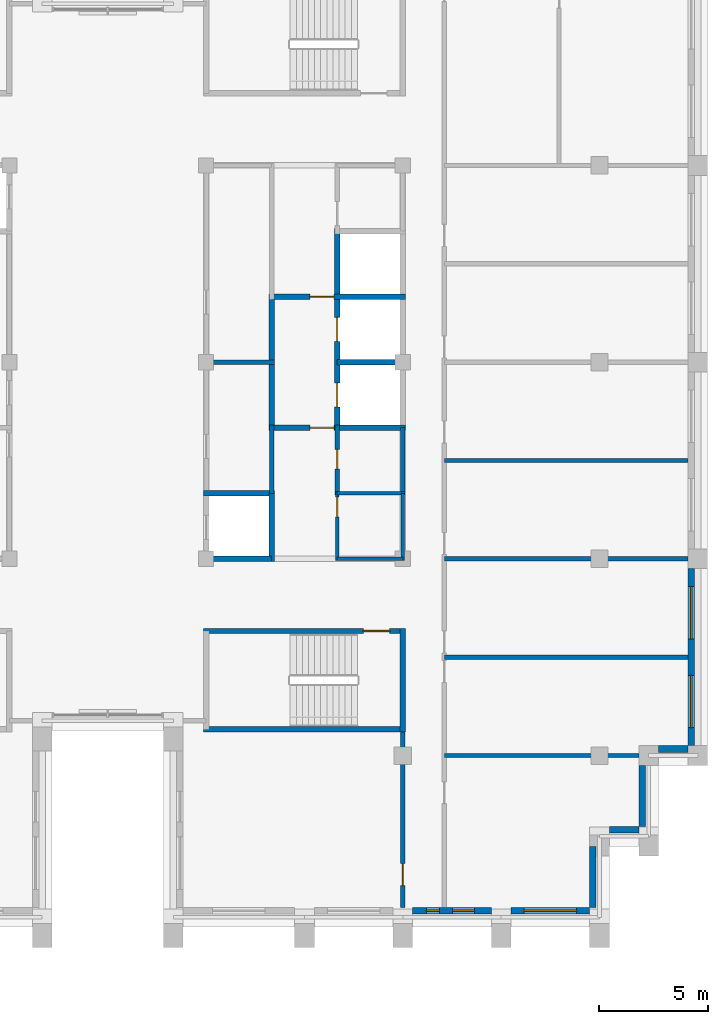
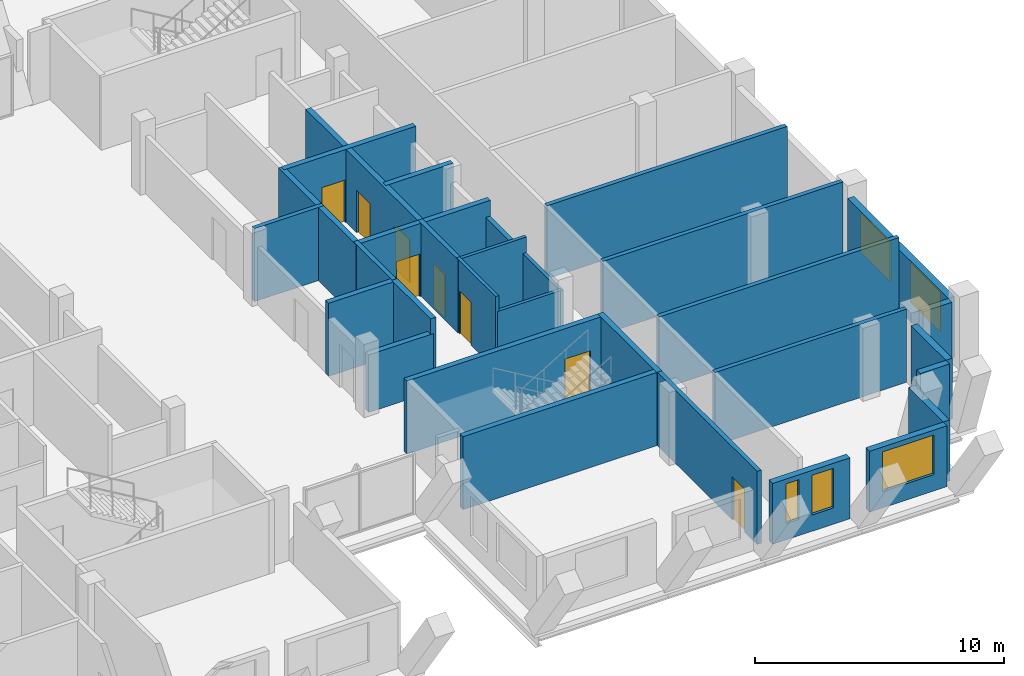
# One storey, part 8 of 13: 31 walls, 8 doors, 5 windows, 13 openings.
"""IFC4 building model written with IfcOpenShell, lengths in metres."""

from ifc_helpers import new_model, si_unit, direction, frame, frame_2d, origin, place, context, subcontext, project, spatial, rectangle, extrude, material, layer, layer_set, type_object, element, fill, save


model = new_model("IFC4")

# Units and contexts
model_context = context("Model", 3, precision=1e-05, world=origin(), true_north=direction((0.0, 1.0)))
body_context = subcontext(model_context, "Body", "Model", "MODEL_VIEW")
ifc_project = project(units=[si_unit("LENGTHUNIT", "METRE"), si_unit("AREAUNIT", "SQUARE_METRE"), si_unit("VOLUMEUNIT", "CUBIC_METRE"), si_unit("PLANEANGLEUNIT", "RADIAN"), si_unit("MASSUNIT", "GRAM", prefix="KILO")], contexts=[model_context])

# Site, building, storey
site_placement = place(None, origin())
site = spatial("IfcSite", under=ifc_project, at=site_placement, CompositionType="ELEMENT")
building_placement = place(site_placement, origin())
building = spatial("IfcBuilding", under=site, at=building_placement, Name="Corbelhall Arena Tower", CompositionType="ELEMENT")
storey_placement = place(building_placement, frame((0.0, 0.0, 346.0)))
storey = spatial("IfcBuildingStorey", under=building, at=storey_placement, Name="L76", CompositionType="ELEMENT", Elevation=346.0)

# Wall, openings, windows
ifc_material_1 = material(Name="Precast concrete C40/50 with granite facing", Category="masonry")
ifc_layer_1 = layer(ifc_material_1, 0.300048828125)
ifc_layer_set_1 = layer_set([ifc_layer_1], Name="EV-IW1 Infill panel 300")
wall_type_1 = type_object("IfcWallType", Name="EV-IW1 Infill panel 300", PredefinedType="SOLIDWALL", material=ifc_layer_set_1)
wall_1_placement = place(storey_placement, frame((13.949951171875, -25.10009765625, 0.0), z_axis=(0.0, 0.0, 1.0), x_axis=(1.0, 0.0, 0.0)))
wall_1 = element("IfcWall", 1, at=wall_1_placement, inside=storey, type_object=wall_type_1, Name="Infill panel IW1", PredefinedType="SOLIDWALL", context=body_context, shape_type="SweptSolid", body=[
    extrude(rectangle(XDim=3.60009765625, YDim=0.300048828125, at=frame_2d((1.800048828125, 0.0))), origin(), (0.0, 0.0, 1.0), 2.989990234375),
])
opening_1_placement = place(wall_1_placement, frame((0.625, 0.0, 0.800048828125)))
opening_1 = element("IfcOpeningElement", 2, at=opening_1_placement, cuts=wall_1, Name="Opening WN5", PredefinedType="OPENING", context=body_context, shape_type="SweptSolid", body=[
    extrude(rectangle(XDim=0.60009765625, YDim=1.949951171875, at=frame_2d((0.300048828125, 0.97509765625))), frame((0.0, 0.14990234375, 0.0), z_axis=(0.0, -1.0, 0.0), x_axis=(1.0, 0.0, 0.0)), (0.0, 0.0, 1.0), 0.300048828125),
])
opening_2_placement = place(wall_1_placement, frame((1.824951171875, 0.0, 0.800048828125)))
opening_2 = element("IfcOpeningElement", 3, at=opening_2_placement, cuts=wall_1, Name="Opening WN6", PredefinedType="OPENING", context=body_context, shape_type="SweptSolid", body=[
    extrude(rectangle(XDim=1.0, YDim=1.949951171875, at=frame_2d((0.5, 0.97509765625))), frame((0.0, 0.14990234375, 0.0), z_axis=(0.0, -1.0, 0.0), x_axis=(1.0, 0.0, 0.0)), (0.0, 0.0, 1.0), 0.300048828125),
])
ifc_material_2 = material(Name="Aluminium black anodised", Category="aluminium")
window_type_1 = type_object("IfcWindowType", Name="EV-WN5 Office window 600", PartitioningType="SINGLE_PANEL", PredefinedType="WINDOW", material=ifc_material_2)
window_1_placement = place(opening_1_placement, origin())
window_1 = element("IfcWindow", 4, at=window_1_placement, inside=storey, type_object=window_type_1, Name="Window WN5", OverallHeight=1.949951171875, OverallWidth=0.60009765625, PartitioningType="SINGLE_PANEL", PredefinedType="WINDOW", context=body_context, shape_type="SweptSolid", body=[
    extrude(rectangle(XDim=0.60009765625, YDim=1.949951171875, at=frame_2d((0.300048828125, 0.97509765625))), frame((0.0, 0.030029296875, 0.0), z_axis=(0.0, -1.0, 0.0), x_axis=(1.0, 0.0, 0.0)), (0.0, 0.0, 1.0), 0.06005859375),
])
fill(opening_1, window_1)
window_type_2 = type_object("IfcWindowType", Name="EV-WN6 Office window 1000", PartitioningType="SINGLE_PANEL", PredefinedType="WINDOW", material=ifc_material_2)
window_2_placement = place(opening_2_placement, origin())
window_2 = element("IfcWindow", 5, at=window_2_placement, inside=storey, type_object=window_type_2, Name="Window WN6", OverallHeight=1.949951171875, OverallWidth=1.0, PartitioningType="SINGLE_PANEL", PredefinedType="WINDOW", context=body_context, shape_type="SweptSolid", body=[
    extrude(rectangle(XDim=1.0, YDim=1.949951171875, at=frame_2d((0.5, 0.97509765625))), frame((0.0, 0.030029296875, 0.0), z_axis=(0.0, -1.0, 0.0), x_axis=(1.0, 0.0, 0.0)), (0.0, 0.0, 1.0), 0.06005859375),
])
fill(opening_2, window_2)

# Wall, opening, window
wall_2_placement = place(storey_placement, frame((18.449951171875, -25.10009765625, 0.0), z_axis=(0.0, 0.0, 1.0), x_axis=(1.0, 0.0, 0.0)))
wall_2 = element("IfcWall", 6, at=wall_2_placement, inside=storey, type_object=wall_type_1, Name="Infill panel IW1", PredefinedType="SOLIDWALL", context=body_context, shape_type="SweptSolid", body=[
    extrude(rectangle(XDim=3.60009765625, YDim=0.300048828125, at=frame_2d((1.800048828125, 0.0))), origin(), (0.0, 0.0, 1.0), 2.989990234375),
])
opening_3_placement = place(wall_2_placement, frame((0.60009765625, 0.0, 0.800048828125)))
opening_3 = element("IfcOpeningElement", 7, at=opening_3_placement, cuts=wall_2, Name="Opening WN1", PredefinedType="OPENING", context=body_context, shape_type="SweptSolid", body=[
    extrude(rectangle(XDim=2.39990234375, YDim=1.949951171875, at=frame_2d((1.199951171875, 0.97509765625))), frame((0.0, 0.14990234375, 0.0), z_axis=(0.0, -1.0, 0.0), x_axis=(1.0, 0.0, 0.0)), (0.0, 0.0, 1.0), 0.300048828125),
])
window_type_3 = type_object("IfcWindowType", Name="EV-WN1 Office window", PartitioningType="SINGLE_PANEL", PredefinedType="WINDOW", material=ifc_material_2)
window_3_placement = place(opening_3_placement, origin())
window_3 = element("IfcWindow", 8, at=window_3_placement, inside=storey, type_object=window_type_3, Name="Window WN1", OverallHeight=1.949951171875, OverallWidth=2.39990234375, PartitioningType="SINGLE_PANEL", PredefinedType="WINDOW", context=body_context, shape_type="SweptSolid", body=[
    extrude(rectangle(XDim=2.39990234375, YDim=1.949951171875, at=frame_2d((1.199951171875, 0.97509765625))), frame((0.0, 0.030029296875, 0.0), z_axis=(0.0, -1.0, 0.0), x_axis=(1.0, 0.0, 0.0)), (0.0, 0.0, 1.0), 0.06005859375),
])
fill(opening_3, window_3)

# Walls
wall_3_placement = place(storey_placement, frame((22.199951171875, -24.949951171875, 0.0), z_axis=(0.0, 0.0, 1.0), x_axis=(0.0, 1.0, 0.0)))
element("IfcWall", 9, at=wall_3_placement, inside=storey, type_object=wall_type_1, Name="Infill panel IW1", PredefinedType="SOLIDWALL", context=body_context, shape_type="SweptSolid", body=[
    extrude(rectangle(XDim=2.800048828125, YDim=0.300048828125, at=frame_2d((1.39990234375, 0.0))), origin(), (0.0, 0.0, 1.0), 2.989990234375),
])
wall_4_placement = place(storey_placement, frame((22.949951171875, -21.39990234375, 0.0), z_axis=(0.0, 0.0, 1.0), x_axis=(1.0, 0.0, 0.0)))
element("IfcWall", 10, at=wall_4_placement, inside=storey, type_object=wall_type_1, Name="Infill panel IW1", PredefinedType="SOLIDWALL", context=body_context, shape_type="SweptSolid", body=[
    extrude(rectangle(XDim=1.35009765625, YDim=0.300048828125, at=frame_2d((0.675048828125, 0.0))), origin(), (0.0, 0.0, 1.0), 2.989990234375),
])
wall_5_placement = place(storey_placement, frame((24.449951171875, -21.25, 0.0), z_axis=(0.0, 0.0, 1.0), x_axis=(0.0, 1.0, 0.0)))
element("IfcWall", 11, at=wall_5_placement, inside=storey, type_object=wall_type_1, Name="Infill panel IW1", PredefinedType="SOLIDWALL", context=body_context, shape_type="SweptSolid", body=[
    extrude(rectangle(XDim=2.800048828125, YDim=0.300048828125, at=frame_2d((1.39990234375, 0.0))), origin(), (0.0, 0.0, 1.0), 2.989990234375),
])
wall_6_placement = place(storey_placement, frame((25.199951171875, -17.699951171875, 0.0), z_axis=(0.0, 0.0, 1.0), x_axis=(1.0, 0.0, 0.0)))
element("IfcWall", 12, at=wall_6_placement, inside=storey, type_object=wall_type_1, Name="Infill panel IW1", PredefinedType="SOLIDWALL", context=body_context, shape_type="SweptSolid", body=[
    extrude(rectangle(XDim=1.35009765625, YDim=0.300048828125, at=frame_2d((0.675048828125, 0.0))), origin(), (0.0, 0.0, 1.0), 2.989990234375),
])

# Wall, openings, windows
wall_7_placement = place(storey_placement, frame((26.699951171875, -17.550048828125, 0.0), z_axis=(0.0, 0.0, 1.0), x_axis=(0.0, 1.0, 0.0)))
wall_7 = element("IfcWall", 13, at=wall_7_placement, inside=storey, type_object=wall_type_1, Name="Infill panel IW1", PredefinedType="SOLIDWALL", context=body_context, shape_type="SweptSolid", body=[
    extrude(rectangle(XDim=8.10009765625, YDim=0.300048828125, at=frame_2d((4.050048828125, 0.0))), origin(), (0.0, 0.0, 1.0), 2.989990234375),
])
opening_4_placement = place(wall_7_placement, frame((0.824951171875, 0.0, 0.800048828125)))
opening_4 = element("IfcOpeningElement", 14, at=opening_4_placement, cuts=wall_7, Name="Opening WN1", PredefinedType="OPENING", context=body_context, shape_type="SweptSolid", body=[
    extrude(rectangle(XDim=2.39990234375, YDim=1.949951171875, at=frame_2d((1.199951171875, 0.97509765625))), frame((0.0, 0.14990234375, 0.0), z_axis=(0.0, -1.0, 0.0), x_axis=(1.0, 0.0, 0.0)), (0.0, 0.0, 1.0), 0.300048828125),
])
opening_5_placement = place(wall_7_placement, frame((4.875, 0.0, 0.800048828125)))
opening_5 = element("IfcOpeningElement", 15, at=opening_5_placement, cuts=wall_7, Name="Opening WN1", PredefinedType="OPENING", context=body_context, shape_type="SweptSolid", body=[
    extrude(rectangle(XDim=2.39990234375, YDim=1.949951171875, at=frame_2d((1.199951171875, 0.97509765625))), frame((0.0, 0.14990234375, 0.0), z_axis=(0.0, -1.0, 0.0), x_axis=(1.0, 0.0, 0.0)), (0.0, 0.0, 1.0), 0.300048828125),
])
window_4_placement = place(opening_4_placement, origin())
window_4 = element("IfcWindow", 16, at=window_4_placement, inside=storey, type_object=window_type_3, Name="Window WN1", OverallHeight=1.949951171875, OverallWidth=2.39990234375, PartitioningType="SINGLE_PANEL", PredefinedType="WINDOW", context=body_context, shape_type="SweptSolid", body=[
    extrude(rectangle(XDim=2.39990234375, YDim=1.949951171875, at=frame_2d((1.199951171875, 0.97509765625))), frame((0.0, 0.030029296875, 0.0), z_axis=(0.0, -1.0, 0.0), x_axis=(1.0, 0.0, 0.0)), (0.0, 0.0, 1.0), 0.06005859375),
])
fill(opening_4, window_4)
window_5_placement = place(opening_5_placement, origin())
window_5 = element("IfcWindow", 17, at=window_5_placement, inside=storey, type_object=window_type_3, Name="Window WN1", OverallHeight=1.949951171875, OverallWidth=2.39990234375, PartitioningType="SINGLE_PANEL", PredefinedType="WINDOW", context=body_context, shape_type="SweptSolid", body=[
    extrude(rectangle(XDim=2.39990234375, YDim=1.949951171875, at=frame_2d((1.199951171875, 0.97509765625))), frame((0.0, 0.030029296875, 0.0), z_axis=(0.0, -1.0, 0.0), x_axis=(1.0, 0.0, 0.0)), (0.0, 0.0, 1.0), 0.06005859375),
])
fill(opening_5, window_5)

# Wall, opening, door
ifc_material_3 = material(Name="Gypsum board on steel stud, acoustic", Category="steel")
ifc_layer_2 = layer(ifc_material_3, 0.199951171875)
ifc_layer_set_2 = layer_set([ifc_layer_2], Name="IN-W-DM200")
wall_type_2 = type_object("IfcWallType", Name="IN-W-DM200", PredefinedType="PARTITIONING", material=ifc_layer_set_2)
wall_8_placement = place(storey_placement, frame((13.5, -24.949951171875, 0.0), z_axis=(0.0, 0.0, 1.0), x_axis=(0.0, 1.0, 0.0)))
wall_8 = element("IfcWall", 18, at=wall_8_placement, inside=storey, type_object=wall_type_2, Name="Partition 020", PredefinedType="PARTITIONING", context=body_context, shape_type="SweptSolid", body=[
    extrude(rectangle(XDim=8.27490234375, YDim=0.199951171875, at=frame_2d((4.137451171875, 0.0))), origin(), (0.0, 0.0, 1.0), 3.590087890625),
])
opening_6_placement = place(wall_8_placement, frame((1.0, 0.0, 0.0)))
opening_6 = element("IfcOpeningElement", 19, at=opening_6_placement, cuts=wall_8, Name="Opening 24021", PredefinedType="OPENING", context=body_context, shape_type="SweptSolid", body=[
    extrude(rectangle(XDim=1.0, YDim=2.10009765625, at=frame_2d((0.5, 1.050048828125))), frame((0.0, 0.10009765625, 0.0), z_axis=(0.0, -1.0, 0.0), x_axis=(1.0, 0.0, 0.0)), (0.0, 0.0, 1.0), 0.199951171875),
])
ifc_material_4 = material(Name="Steel door set", Category="steel")
door_type_1 = type_object("IfcDoorType", Name="IN-D-SW100", OperationType="NOTDEFINED", PredefinedType="DOOR", material=ifc_material_4)
door_1_placement = place(opening_6_placement, origin())
door_1 = element("IfcDoor", 20, at=door_1_placement, inside=storey, type_object=door_type_1, Name="Door 021", OperationType="SINGLE_SWING_RIGHT", OverallHeight=2.10009765625, OverallWidth=1.0, PredefinedType="DOOR", context=body_context, shape_type="SweptSolid", body=[
    extrude(rectangle(XDim=1.0, YDim=2.10009765625, at=frame_2d((0.5, 1.050048828125))), frame((0.0, 0.02490234375, 0.0), z_axis=(0.0, -1.0, 0.0), x_axis=(1.0, 0.0, 0.0)), (0.0, 0.0, 1.0), 0.050048828125),
])
fill(opening_6, door_1)

# Walls
wall_9_placement = place(storey_placement, frame((15.39990234375, -18.0, 0.0), z_axis=(0.0, 0.0, 1.0), x_axis=(1.0, 0.0, 0.0)))
element("IfcWall", 21, at=wall_9_placement, inside=storey, type_object=wall_type_2, Name="Partition 022", PredefinedType="PARTITIONING", context=body_context, shape_type="SweptSolid", body=[
    extrude(rectangle(XDim=8.900146484375, YDim=0.199951171875, at=frame_2d((4.4501953125, 0.0))), origin(), (0.0, 0.0, 1.0), 3.590087890625),
])
for number, where, z_axis, x_axis, name in (
    (22, (15.39990234375, -13.5, 0.0), (0.0, 0.0, 1.0), (1.0, 0.0, 0.0), "Partition 024"),
    (23, (15.39990234375, -9.0, 0.0), (0.0, 0.0, 1.0), (1.0, 0.0, 0.0), "Partition 025"),
    (24, (15.39990234375, -4.5, 0.0), (0.0, 0.0, 1.0), (1.0, 0.0, 0.0), "Partition 026"),
):
    element("IfcWall", number, at=place(storey_placement, frame(where, z_axis=z_axis, x_axis=x_axis)), inside=storey, type_object=wall_type_2, Name=name, PredefinedType="PARTITIONING", context=body_context, shape_type="SweptSolid", body=[
        extrude(rectangle(XDim=11.150146484375, YDim=0.199951171875, at=frame_2d((5.5751953125, 0.0))), origin(), (0.0, 0.0, 1.0), 3.590087890625),
    ])
ifc_material_5 = material(Name="Concrete block wall", Category="concrete")
ifc_layer_3 = layer(ifc_material_5, 0.199951171875)
ifc_layer_set_3 = layer_set([ifc_layer_3], Name="IN-W-RS200")
wall_type_3 = type_object("IfcWallType", Name="IN-W-RS200", PredefinedType="SOLIDWALL", material=ifc_layer_set_3)
wall_10_placement = place(storey_placement, frame((4.39990234375, 0.0, 0.0), z_axis=(0.0, 0.0, 1.0), x_axis=(1.0, 0.0, 0.0)))
element("IfcWall", 25, at=wall_10_placement, inside=storey, type_object=wall_type_3, Name="Partition 038", PredefinedType="SOLIDWALL", context=body_context, shape_type="SweptSolid", body=[
    extrude(rectangle(XDim=3.22509765625, YDim=0.199951171875, at=frame_2d((1.612548828125, 0.0))), origin(), (0.0, 0.0, 1.0), 3.590087890625),
])
wall_11_placement = place(storey_placement, frame((7.5, -2.875, 0.0), z_axis=(0.0, 0.0, 1.0), x_axis=(0.0, -1.0, 0.0)))
element("IfcWall", 26, at=wall_11_placement, inside=storey, type_object=wall_type_3, Name="Partition 041", PredefinedType="SOLIDWALL", context=body_context, shape_type="SweptSolid", body=[
    extrude(rectangle(XDim=3.125, YDim=0.199951171875, at=frame_2d((1.5625, 0.0))), origin(), (0.0, 0.0, 1.0), 3.590087890625),
])

# Wall, opening, door
wall_12_placement = place(storey_placement, frame((10.5, -2.875, 0.0), z_axis=(0.0, 0.0, 1.0), x_axis=(0.0, -1.0, 0.0)))
wall_12 = element("IfcWall", 27, at=wall_12_placement, inside=storey, type_object=wall_type_3, Name="Partition 043", PredefinedType="SOLIDWALL", context=body_context, shape_type="SweptSolid", body=[
    extrude(rectangle(XDim=3.199951171875, YDim=0.199951171875, at=frame_2d((1.60009765625, 0.0))), origin(), (0.0, 0.0, 1.0), 3.590087890625),
])
opening_7_placement = place(wall_12_placement, frame((1.1201171875, 0.0, 0.0)))
opening_7 = element("IfcOpeningElement", 28, at=opening_7_placement, cuts=wall_12, Name="Opening 24039", PredefinedType="OPENING", context=body_context, shape_type="SweptSolid", body=[
    extrude(rectangle(XDim=0.89990234375, YDim=2.10009765625, at=frame_2d((0.449951171875, 1.050048828125))), frame((0.0, 0.10009765625, 0.0), z_axis=(0.0, -1.0, 0.0), x_axis=(1.0, 0.0, 0.0)), (0.0, 0.0, 1.0), 0.199951171875),
])
ifc_material_6 = material(Name="Timber door set", Category="wood")
door_type_2 = type_object("IfcDoorType", Name="IN-D-SW90", OperationType="NOTDEFINED", PredefinedType="DOOR", material=ifc_material_6)
door_2_placement = place(opening_7_placement, origin())
door_2 = element("IfcDoor", 29, at=door_2_placement, inside=storey, type_object=door_type_2, Name="Door 039", OperationType="SINGLE_SWING_LEFT", OverallHeight=2.10009765625, OverallWidth=0.89990234375, PredefinedType="DOOR", context=body_context, shape_type="SweptSolid", body=[
    extrude(rectangle(XDim=0.89990234375, YDim=2.10009765625, at=frame_2d((0.449951171875, 1.050048828125))), frame((0.0, 0.02490234375, 0.0), z_axis=(0.0, -1.0, 0.0), x_axis=(1.0, 0.0, 0.0)), (0.0, 0.0, 1.0), 0.050048828125),
])
fill(opening_7, door_2)

# Walls
ifc_layer_4 = layer(ifc_material_5, 0.199951171875)
ifc_layer_set_4 = layer_set([ifc_layer_4], Name="IN-W-RS200 under beam 762 mm")
wall_type_4 = type_object("IfcWallType", Name="IN-W-RS200 under beam 762 mm", PredefinedType="SOLIDWALL", material=ifc_layer_set_4)
wall_13_placement = place(storey_placement, frame((13.5, -3.0, 0.0), z_axis=(0.0, 0.0, 1.0), x_axis=(0.0, -1.0, 0.0)))
element("IfcWall", 30, at=wall_13_placement, inside=storey, type_object=wall_type_4, Name="Partition 046", PredefinedType="SOLIDWALL", context=body_context, shape_type="SweptSolid", body=[
    extrude(rectangle(XDim=3.0, YDim=0.199951171875, at=frame_2d((1.5, 0.0))), origin(), (0.0, 0.0, 1.0), 2.827880859375),
])
ifc_material_7 = material(Name="Concrete C40/50", Category="concrete")
ifc_layer_5 = layer(ifc_material_7, 0.25)
ifc_layer_set_5 = layer_set([ifc_layer_5], Name="IN-W-SH250")
wall_type_5 = type_object("IfcWallType", Name="IN-W-SH250", PredefinedType="SOLIDWALL", material=ifc_layer_set_5)
wall_14_placement = place(storey_placement, frame((4.375, -6.0, 0.0), z_axis=(0.0, 0.0, 1.0), x_axis=(1.0, 0.0, 0.0)))
element("IfcWall", 31, at=wall_14_placement, inside=storey, type_object=wall_type_5, Name="Shaft wall 058", PredefinedType="SOLIDWALL", context=body_context, shape_type="SweptSolid", body=[
    extrude(rectangle(XDim=3.25, YDim=0.25, at=frame_2d((1.625, 0.0))), origin(), (0.0, 0.0, 1.0), 3.590087890625),
])
wall_15_placement = place(storey_placement, frame((7.5, -6.0, 0.0), z_axis=(0.0, 0.0, 1.0), x_axis=(0.0, -1.0, 0.0)))
element("IfcWall", 32, at=wall_15_placement, inside=storey, type_object=wall_type_5, Name="Shaft wall 061", PredefinedType="SOLIDWALL", context=body_context, shape_type="SweptSolid", body=[
    extrude(rectangle(XDim=3.125, YDim=0.25, at=frame_2d((1.5625, 0.0))), origin(), (0.0, 0.0, 1.0), 3.590087890625),
])

# Wall, opening, door
wall_16_placement = place(storey_placement, frame((7.5, -3.0, 0.0), z_axis=(0.0, 0.0, 1.0), x_axis=(1.0, 0.0, 0.0)))
wall_16 = element("IfcWall", 33, at=wall_16_placement, inside=storey, type_object=wall_type_5, Name="Shaft wall 062", PredefinedType="SOLIDWALL", context=body_context, shape_type="SweptSolid", body=[
    extrude(rectangle(XDim=6.125, YDim=0.25, at=frame_2d((3.0625, 0.0))), origin(), (0.0, 0.0, 1.0), 3.590087890625),
])
opening_8_placement = place(wall_16_placement, frame((1.75, 0.0, 0.0)))
opening_8 = element("IfcOpeningElement", 34, at=opening_8_placement, cuts=wall_16, Name="Opening 24010", PredefinedType="OPENING", context=body_context, shape_type="SweptSolid", body=[
    extrude(rectangle(XDim=1.10009765625, YDim=2.10009765625, at=frame_2d((0.550048828125, 1.050048828125))), frame((0.0, 0.125, 0.0), z_axis=(0.0, -1.0, 0.0), x_axis=(1.0, 0.0, 0.0)), (0.0, 0.0, 1.0), 0.25),
])
door_type_3 = type_object("IfcDoorType", Name="IN-D-FD110", OperationType="NOTDEFINED", PredefinedType="DOOR", material=ifc_material_4)
door_3_placement = place(opening_8_placement, origin())
door_3 = element("IfcDoor", 35, at=door_3_placement, inside=storey, type_object=door_type_3, Name="Door 010", OperationType="SINGLE_SWING_LEFT", OverallHeight=2.10009765625, OverallWidth=1.10009765625, PredefinedType="DOOR", context=body_context, shape_type="SweptSolid", body=[
    extrude(rectangle(XDim=1.10009765625, YDim=2.10009765625, at=frame_2d((0.550048828125, 1.050048828125))), frame((0.0, 0.02490234375, 0.0), z_axis=(0.0, -1.0, 0.0), x_axis=(1.0, 0.0, 0.0)), (0.0, 0.0, 1.0), 0.050048828125),
])
fill(opening_8, door_3)

# Wall
wall_17_placement = place(storey_placement, frame((7.5, 3.125, 0.0), z_axis=(0.0, 0.0, 1.0), x_axis=(0.0, -1.0, 0.0)))
element("IfcWall", 36, at=wall_17_placement, inside=storey, type_object=wall_type_5, Name="Shaft wall 063", PredefinedType="SOLIDWALL", context=body_context, shape_type="SweptSolid", body=[
    extrude(rectangle(XDim=6.25, YDim=0.25, at=frame_2d((3.125, 0.0))), origin(), (0.0, 0.0, 1.0), 3.590087890625),
])

# Wall, opening, door
wall_18_placement = place(storey_placement, frame((7.5, 3.0, 0.0), z_axis=(0.0, 0.0, 1.0), x_axis=(1.0, 0.0, 0.0)))
wall_18 = element("IfcWall", 37, at=wall_18_placement, inside=storey, type_object=wall_type_5, Name="Shaft wall 064", PredefinedType="SOLIDWALL", context=body_context, shape_type="SweptSolid", body=[
    extrude(rectangle(XDim=6.125, YDim=0.25, at=frame_2d((3.0625, 0.0))), origin(), (0.0, 0.0, 1.0), 3.590087890625),
])
opening_9_placement = place(wall_18_placement, frame((1.75, 0.0, 0.0)))
opening_9 = element("IfcOpeningElement", 38, at=opening_9_placement, cuts=wall_18, Name="Opening 24011", PredefinedType="OPENING", context=body_context, shape_type="SweptSolid", body=[
    extrude(rectangle(XDim=1.10009765625, YDim=2.10009765625, at=frame_2d((0.550048828125, 1.050048828125))), frame((0.0, 0.125, 0.0), z_axis=(0.0, -1.0, 0.0), x_axis=(1.0, 0.0, 0.0)), (0.0, 0.0, 1.0), 0.25),
])
door_4_placement = place(opening_9_placement, origin())
door_4 = element("IfcDoor", 39, at=door_4_placement, inside=storey, type_object=door_type_3, Name="Door 011", OperationType="SINGLE_SWING_RIGHT", OverallHeight=2.10009765625, OverallWidth=1.10009765625, PredefinedType="DOOR", context=body_context, shape_type="SweptSolid", body=[
    extrude(rectangle(XDim=1.10009765625, YDim=2.10009765625, at=frame_2d((0.550048828125, 1.050048828125))), frame((0.0, 0.02490234375, 0.0), z_axis=(0.0, -1.0, 0.0), x_axis=(1.0, 0.0, 0.0)), (0.0, 0.0, 1.0), 0.050048828125),
])
fill(opening_9, door_4)

# Wall
wall_19_placement = place(storey_placement, frame((10.5, 0.0, 0.0), z_axis=(0.0, 0.0, 1.0), x_axis=(1.0, 0.0, 0.0)))
element("IfcWall", 40, at=wall_19_placement, inside=storey, type_object=wall_type_5, Name="Shaft wall 065", PredefinedType="SOLIDWALL", context=body_context, shape_type="SweptSolid", body=[
    extrude(rectangle(XDim=3.125, YDim=0.25, at=frame_2d((1.5625, 0.0))), origin(), (0.0, 0.0, 1.0), 3.590087890625),
])

# Wall, openings, doors
wall_20_placement = place(storey_placement, frame((10.5, 6.125, 0.0), z_axis=(0.0, 0.0, 1.0), x_axis=(0.0, -1.0, 0.0)))
wall_20 = element("IfcWall", 41, at=wall_20_placement, inside=storey, type_object=wall_type_5, Name="Shaft wall 066", PredefinedType="SOLIDWALL", context=body_context, shape_type="SweptSolid", body=[
    extrude(rectangle(XDim=9.25, YDim=0.25, at=frame_2d((4.625, 0.0))), origin(), (0.0, 0.0, 1.0), 3.590087890625),
])
opening_10_placement = place(wall_20_placement, frame((7.074951171875, 0.0, 0.0)))
opening_10 = element("IfcOpeningElement", 42, at=opening_10_placement, cuts=wall_20, Name="Opening LD", PredefinedType="OPENING", context=body_context, shape_type="SweptSolid", body=[
    extrude(rectangle(XDim=1.10009765625, YDim=2.10009765625, at=frame_2d((0.550048828125, 1.050048828125))), frame((0.0, 0.125, 0.0), z_axis=(0.0, -1.0, 0.0), x_axis=(1.0, 0.0, 0.0)), (0.0, 0.0, 1.0), 0.25),
])
opening_11_placement = place(wall_20_placement, frame((4.074951171875, 0.0, 0.0)))
opening_11 = element("IfcOpeningElement", 43, at=opening_11_placement, cuts=wall_20, Name="Opening LD", PredefinedType="OPENING", context=body_context, shape_type="SweptSolid", body=[
    extrude(rectangle(XDim=1.10009765625, YDim=2.10009765625, at=frame_2d((0.550048828125, 1.050048828125))), frame((0.0, 0.125, 0.0), z_axis=(0.0, -1.0, 0.0), x_axis=(1.0, 0.0, 0.0)), (0.0, 0.0, 1.0), 0.25),
])
door_type_4 = type_object("IfcDoorType", Name="IN-D-LD110", OperationType="NOTDEFINED", PredefinedType="DOOR", material=ifc_material_4)
door_5_placement = place(opening_10_placement, origin())
door_5 = element("IfcDoor", 44, at=door_5_placement, inside=storey, type_object=door_type_4, Name="Landing door E3", OperationType="SLIDING_TO_LEFT", OverallHeight=2.10009765625, OverallWidth=1.10009765625, PredefinedType="DOOR", context=body_context, shape_type="SweptSolid", body=[
    extrude(rectangle(XDim=1.10009765625, YDim=2.10009765625, at=frame_2d((0.550048828125, 1.050048828125))), frame((0.0, 0.02490234375, 0.0), z_axis=(0.0, -1.0, 0.0), x_axis=(1.0, 0.0, 0.0)), (0.0, 0.0, 1.0), 0.050048828125),
])
fill(opening_10, door_5)
door_6_placement = place(opening_11_placement, origin())
door_6 = element("IfcDoor", 45, at=door_6_placement, inside=storey, type_object=door_type_4, Name="Landing door E4", OperationType="SLIDING_TO_LEFT", OverallHeight=2.10009765625, OverallWidth=1.10009765625, PredefinedType="DOOR", context=body_context, shape_type="SweptSolid", body=[
    extrude(rectangle(XDim=1.10009765625, YDim=2.10009765625, at=frame_2d((0.550048828125, 1.050048828125))), frame((0.0, 0.02490234375, 0.0), z_axis=(0.0, -1.0, 0.0), x_axis=(1.0, 0.0, 0.0)), (0.0, 0.0, 1.0), 0.050048828125),
])
fill(opening_11, door_6)

# Walls
ifc_layer_6 = layer(ifc_material_7, 0.25)
ifc_layer_set_6 = layer_set([ifc_layer_6], Name="IN-W-SH250 under beam 762 mm")
wall_type_6 = type_object("IfcWallType", Name="IN-W-SH250 under beam 762 mm", PredefinedType="SOLIDWALL", material=ifc_layer_set_6)
wall_21_placement = place(storey_placement, frame((7.5, -9.0, 0.0), z_axis=(0.0, 0.0, 1.0), x_axis=(-1.0, 0.0, 0.0)))
element("IfcWall", 46, at=wall_21_placement, inside=storey, type_object=wall_type_6, Name="Shaft wall 060", PredefinedType="SOLIDWALL", context=body_context, shape_type="SweptSolid", body=[
    extrude(rectangle(XDim=3.0, YDim=0.25, at=frame_2d((1.5, 0.0))), origin(), (0.0, 0.0, 1.0), 2.827880859375),
])
ifc_layer_7 = layer(ifc_material_7, 0.25)
ifc_layer_set_7 = layer_set([ifc_layer_7], Name="IN-W-ST250")
wall_type_7 = type_object("IfcWallType", Name="IN-W-ST250", PredefinedType="SOLIDWALL", material=ifc_layer_set_7)
wall_22_placement = place(storey_placement, frame((13.5, -16.925048828125, 0.0), z_axis=(0.0, 0.0, 1.0), x_axis=(0.0, 1.0, 0.0)))
element("IfcWall", 47, at=wall_22_placement, inside=storey, type_object=wall_type_7, Name="Shaft wall 081", PredefinedType="SOLIDWALL", context=body_context, shape_type="SweptSolid", body=[
    extrude(rectangle(XDim=4.75, YDim=0.25, at=frame_2d((2.375, 0.0))), origin(), (0.0, 0.0, 1.0), 3.590087890625),
])
wall_23_placement = place(storey_placement, frame((13.5, -16.800048828125, 0.0), z_axis=(0.0, 0.0, 1.0), x_axis=(-1.0, 0.0, 0.0)))
element("IfcWall", 48, at=wall_23_placement, inside=storey, type_object=wall_type_7, Name="Shaft wall 082", PredefinedType="SOLIDWALL", context=body_context, shape_type="SweptSolid", body=[
    extrude(rectangle(XDim=9.125, YDim=0.25, at=frame_2d((4.5625, 0.0))), origin(), (0.0, 0.0, 1.0), 3.590087890625),
])

# Wall, opening, door
wall_24_placement = place(storey_placement, frame((13.5, -12.300048828125, 0.0), z_axis=(0.0, 0.0, 1.0), x_axis=(-1.0, 0.0, 0.0)))
wall_24 = element("IfcWall", 49, at=wall_24_placement, inside=storey, type_object=wall_type_7, Name="Shaft wall 083", PredefinedType="SOLIDWALL", context=body_context, shape_type="SweptSolid", body=[
    extrude(rectangle(XDim=9.125, YDim=0.25, at=frame_2d((4.5625, 0.0))), origin(), (0.0, 0.0, 1.0), 3.590087890625),
])
opening_12_placement = place(wall_24_placement, frame((0.60009765625, 0.0, 0.0)))
opening_12 = element("IfcOpeningElement", 50, at=opening_12_placement, cuts=wall_24, Name="Opening 24017", PredefinedType="OPENING", context=body_context, shape_type="SweptSolid", body=[
    extrude(rectangle(XDim=1.199951171875, YDim=2.10009765625, at=frame_2d((0.60009765625, 1.050048828125))), frame((0.0, 0.125, 0.0), z_axis=(0.0, -1.0, 0.0), x_axis=(1.0, 0.0, 0.0)), (0.0, 0.0, 1.0), 0.25),
])
door_type_5 = type_object("IfcDoorType", Name="IN-D-ST120", OperationType="NOTDEFINED", PredefinedType="DOOR", material=ifc_material_4)
door_7_placement = place(opening_12_placement, origin())
door_7 = element("IfcDoor", 51, at=door_7_placement, inside=storey, type_object=door_type_5, Name="Door 017", OperationType="SINGLE_SWING_RIGHT", OverallHeight=2.10009765625, OverallWidth=1.199951171875, PredefinedType="DOOR", context=body_context, shape_type="SweptSolid", body=[
    extrude(rectangle(XDim=1.199951171875, YDim=2.10009765625, at=frame_2d((0.60009765625, 1.050048828125))), frame((0.0, 0.02490234375, 0.0), z_axis=(0.0, -1.0, 0.0), x_axis=(1.0, 0.0, 0.0)), (0.0, 0.0, 1.0), 0.050048828125),
])
fill(opening_12, door_7)

# Wall
ifc_material_8 = material(Name="Gypsum board on steel stud, moisture resistant", Category="steel")
ifc_layer_8 = layer(ifc_material_8, 0.14990234375)
ifc_layer_set_8 = layer_set([ifc_layer_8], Name="IN-W-WC150")
wall_type_8 = type_object("IfcWallType", Name="IN-W-WC150", PredefinedType="PARTITIONING", material=ifc_layer_set_8)
wall_25_placement = place(storey_placement, frame((10.5, -6.0, 0.0), z_axis=(0.0, 0.0, 1.0), x_axis=(1.0, 0.0, 0.0)))
element("IfcWall", 52, at=wall_25_placement, inside=storey, type_object=wall_type_8, Name="Partition 092", PredefinedType="PARTITIONING", context=body_context, shape_type="SweptSolid", body=[
    extrude(rectangle(XDim=3.10009765625, YDim=0.14990234375, at=frame_2d((1.550048828125, 0.0))), origin(), (0.0, 0.0, 1.0), 3.590087890625),
])

# Wall, opening, door
wall_26_placement = place(storey_placement, frame((10.5, -5.925048828125, 0.0), z_axis=(0.0, 0.0, 1.0), x_axis=(0.0, -1.0, 0.0)))
wall_26 = element("IfcWall", 53, at=wall_26_placement, inside=storey, type_object=wall_type_8, Name="Partition 093", PredefinedType="PARTITIONING", context=body_context, shape_type="SweptSolid", body=[
    extrude(rectangle(XDim=3.14990234375, YDim=0.14990234375, at=frame_2d((1.574951171875, 0.0))), origin(), (0.0, 0.0, 1.0), 3.590087890625),
])
opening_13_placement = place(wall_26_placement, frame((0.25, 0.0, 0.0)))
opening_13 = element("IfcOpeningElement", 54, at=opening_13_placement, cuts=wall_26, Name="Opening 24012", PredefinedType="OPENING", context=body_context, shape_type="SweptSolid", body=[
    extrude(rectangle(XDim=0.89990234375, YDim=2.10009765625, at=frame_2d((0.449951171875, 1.050048828125))), frame((0.0, 0.074951171875, 0.0), z_axis=(0.0, -1.0, 0.0), x_axis=(1.0, 0.0, 0.0)), (0.0, 0.0, 1.0), 0.14990234375),
])
door_8_placement = place(opening_13_placement, origin())
door_8 = element("IfcDoor", 55, at=door_8_placement, inside=storey, type_object=door_type_2, Name="Door 012", OperationType="SINGLE_SWING_LEFT", OverallHeight=2.10009765625, OverallWidth=0.89990234375, PredefinedType="DOOR", context=body_context, shape_type="SweptSolid", body=[
    extrude(rectangle(XDim=0.89990234375, YDim=2.10009765625, at=frame_2d((0.449951171875, 1.050048828125))), frame((0.0, 0.02490234375, 0.0), z_axis=(0.0, -1.0, 0.0), x_axis=(1.0, 0.0, 0.0)), (0.0, 0.0, 1.0), 0.050048828125),
])
fill(opening_13, door_8)

# Walls
ifc_layer_9 = layer(ifc_material_8, 0.14990234375)
ifc_layer_set_9 = layer_set([ifc_layer_9], Name="IN-W-WC150 under beam 762 mm")
wall_type_9 = type_object("IfcWallType", Name="IN-W-WC150 under beam 762 mm", PredefinedType="PARTITIONING", material=ifc_layer_set_9)
wall_27_placement = place(storey_placement, frame((13.5, -9.0, 0.0), z_axis=(0.0, 0.0, 1.0), x_axis=(-1.0, 0.0, 0.0)))
element("IfcWall", 56, at=wall_27_placement, inside=storey, type_object=wall_type_9, Name="Partition 094", PredefinedType="PARTITIONING", context=body_context, shape_type="SweptSolid", body=[
    extrude(rectangle(XDim=3.0, YDim=0.14990234375, at=frame_2d((1.5, 0.0))), origin(), (0.0, 0.0, 1.0), 2.827880859375),
])
wall_28_placement = place(storey_placement, frame((13.5, -6.0, 0.0), z_axis=(0.0, 0.0, 1.0), x_axis=(0.0, -1.0, 0.0)))
element("IfcWall", 57, at=wall_28_placement, inside=storey, type_object=wall_type_9, Name="Partition 095", PredefinedType="PARTITIONING", context=body_context, shape_type="SweptSolid", body=[
    extrude(rectangle(XDim=3.074951171875, YDim=0.14990234375, at=frame_2d((1.53759765625, 0.0))), origin(), (0.0, 0.0, 1.0), 2.827880859375),
])

save(model, "model.ifc")
